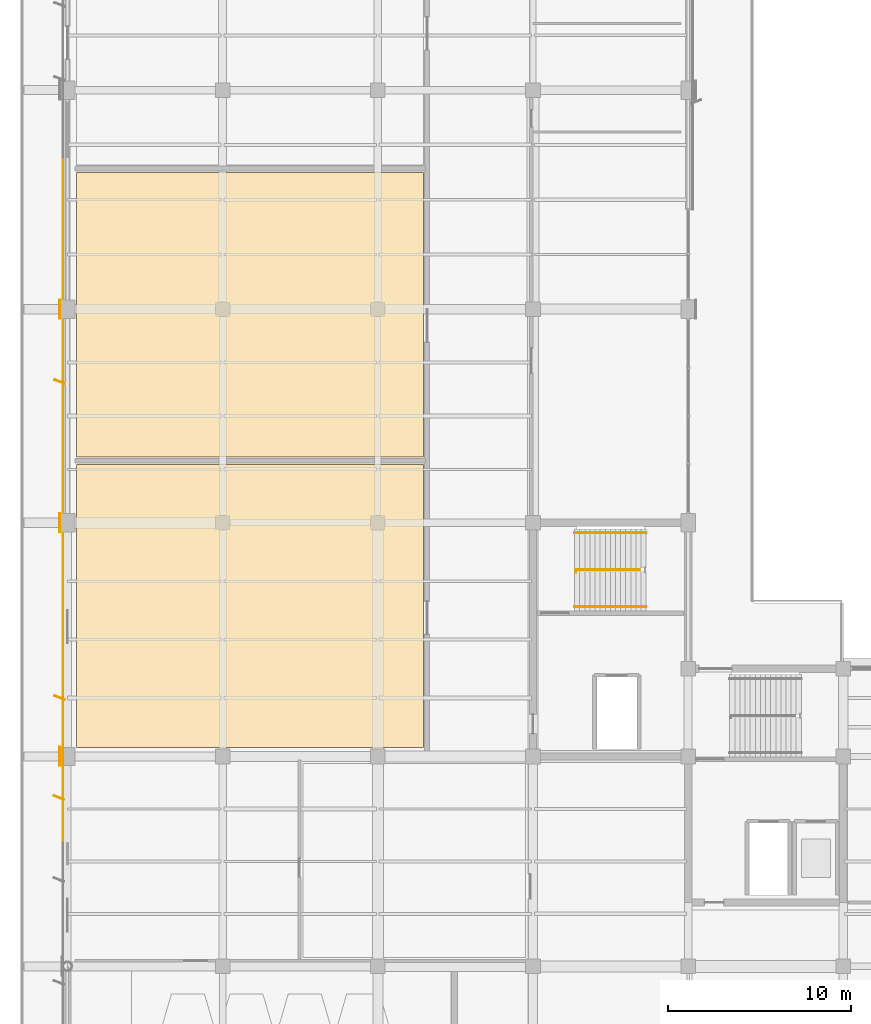
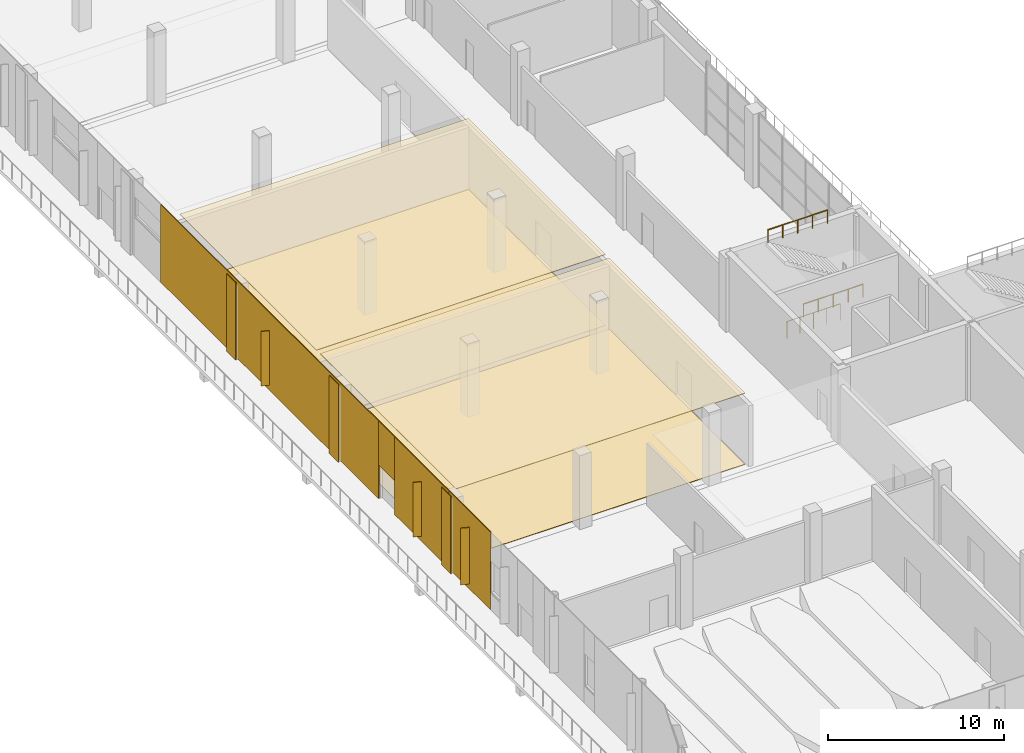
# One storey, part 78 of 90: 14 coverings, 3 railings.
"""IFC4 building model written with IfcOpenShell, lengths in metres."""

from ifc_helpers import new_model, si_unit, direction, frame, origin, origin_2d, place, context, subcontext, project, spatial, polyline, rectangle, circle, outline, extrude, material, layer, layer_set, type_object, element, save


model = new_model("IFC4")

# Units and contexts
model_context = context("Model", 3, precision=1e-05, world=origin(), true_north=direction((0.0, 1.0)))
body_context = subcontext(model_context, "Body", "Model", "MODEL_VIEW")
ifc_project = project(units=[si_unit("LENGTHUNIT", "METRE"), si_unit("AREAUNIT", "SQUARE_METRE"), si_unit("VOLUMEUNIT", "CUBIC_METRE"), si_unit("PLANEANGLEUNIT", "RADIAN"), si_unit("MASSUNIT", "GRAM", prefix="KILO")], contexts=[model_context])

# Site, building, storey
site_placement = place(None, origin())
site = spatial("IfcSite", under=ifc_project, at=site_placement, CompositionType="ELEMENT")
building_placement = place(site_placement, origin())
building = spatial("IfcBuilding", under=site, at=building_placement, Name="Solvikara Media Centre", CompositionType="ELEMENT")
storey_placement = place(building_placement, origin())
storey = spatial("IfcBuildingStorey", under=building, at=storey_placement, Name="L00", CompositionType="ELEMENT", Elevation=0.0)

# Coverings
ifc_material_1 = material(Name="Perforated acoustic gypsum ceiling board")
ifc_layer_1 = layer(ifc_material_1, 0.0400390625)
ifc_layer_set_1 = layer_set([ifc_layer_1], Name="Perforated acoustic gypsum ceiling board")
covering_type_1 = type_object("IfcCoveringType", Name="CV-01", PredefinedType="CEILING", material=ifc_layer_set_1)
covering_1_placement = place(storey_placement, frame((0.0, 0.0, 4.929931640625)))
element("IfcCovering", 1, at=covering_1_placement, inside=storey, type_object=covering_type_1, Name="CLG-004", PredefinedType="CEILING", context=body_context, shape_type="SweptSolid", body=[
    extrude(outline(polyline([(0.5, 32.5), (19.5, 32.5), (19.5, 48.0), (0.5, 48.0), (0.5, 32.5)])), origin(), (0.0, 0.0, 1.0), 0.0400390625),
])
covering_2_placement = place(storey_placement, frame((0.0, 0.0, 4.929931640625)))
element("IfcCovering", 2, at=covering_2_placement, inside=storey, type_object=covering_type_1, Name="CLG-005", PredefinedType="CEILING", context=body_context, shape_type="SweptSolid", body=[
    extrude(outline(polyline([(0.5, 48.39990234375), (19.5, 48.39990234375), (19.5, 64.0), (0.5, 64.0), (0.5, 48.39990234375)])), origin(), (0.0, 0.0, 1.0), 0.0400390625),
])
ifc_material_2 = material(Name="Polished terrazzo floor finish")
ifc_layer_2 = layer(ifc_material_2, 0.030029296875)
ifc_layer_set_2 = layer_set([ifc_layer_2], Name="Polished terrazzo floor finish")
covering_type_2 = type_object("IfcCoveringType", Name="CV-02", PredefinedType="FLOORING", material=ifc_layer_set_2)
covering_3_placement = place(storey_placement, origin())
element("IfcCovering", 3, at=covering_3_placement, inside=storey, type_object=covering_type_2, Name="FLR-004", PredefinedType="FLOORING", context=body_context, shape_type="SweptSolid", body=[
    extrude(outline(polyline([(0.5, 32.5), (19.5, 32.5), (19.5, 48.0), (0.5, 48.0), (0.5, 32.5)])), origin(), (0.0, 0.0, 1.0), 0.030029296875),
])
covering_4_placement = place(storey_placement, origin())
element("IfcCovering", 4, at=covering_4_placement, inside=storey, type_object=covering_type_2, Name="FLR-005", PredefinedType="FLOORING", context=body_context, shape_type="SweptSolid", body=[
    extrude(outline(polyline([(0.5, 48.39990234375), (19.5, 48.39990234375), (19.5, 64.0), (0.5, 64.0), (0.5, 48.39990234375)])), origin(), (0.0, 0.0, 1.0), 0.030029296875),
])
ifc_material_3 = material(Name="GFRC white mineral architectural rainscreen panel")
ifc_layer_3 = layer(ifc_material_3, 0.050048828125)
ifc_layer_set_3 = layer_set([ifc_layer_3], Name="GFRC white mineral architectural rainscreen panel")
covering_type_3 = type_object("IfcCoveringType", Name="CV-04", PredefinedType="CLADDING", material=ifc_layer_set_3)
for number, where, z_axis, x_axis, name in (
    (5, (-0.425048828125, 32.0, 0.0), (0.0, 0.0, 1.0), (0.0, -1.0, 0.0), "PIL-L00-013"),
    (6, (-0.425048828125, 44.800048828125, 0.0), (0.0, 0.0, 1.0), (0.0, -1.0, 0.0), "PIL-L00-017"),
    (7, (-0.425048828125, 56.5, 0.0), (0.0, 0.0, 1.0), (0.0, -1.0, 0.0), "PIL-L00-021"),
):
    element("IfcCovering", number, at=place(storey_placement, frame(where, z_axis=z_axis, x_axis=x_axis)), inside=storey, type_object=covering_type_3, Name=name, PredefinedType="CLADDING", context=body_context, shape_type="SweptSolid", body=[
        extrude(rectangle(XDim=1.0400390625, YDim=0.050048828125, at=origin_2d()), origin(), (0.0, 0.0, 1.0), 5.39990234375),
    ])
covering_5_placement = place(storey_placement, frame((-0.2451171875, 29.633056640625, 0.0), z_axis=(0.0, 0.0, 1.0), x_axis=(0.0, 1.0, 0.0)))
element("IfcCovering", 8, at=covering_5_placement, inside=storey, type_object=covering_type_3, Name="L00-V1W-CV-F09", PredefinedType="CLADDING", context=body_context, shape_type="SweptSolid", body=[
    extrude(rectangle(XDim=4.73291015625, YDim=0.050048828125, at=origin_2d()), origin(), (0.0, 0.0, 1.0), 5.39990234375),
])
covering_6_placement = place(storey_placement, frame((-0.469970703125, 29.742919921875, 0.35009765625), z_axis=(0.0, 0.0, 1.0), x_axis=(-0.930749810713, 0.3656566557, 0.0)))
element("IfcCovering", 9, at=covering_6_placement, inside=storey, type_object=covering_type_3, Name="L00-V1W-FIN-09", PredefinedType="CLADDING", context=body_context, shape_type="SweptSolid", body=[
    extrude(rectangle(XDim=0.60205078125, YDim=0.050048828125, at=origin_2d()), origin(), (0.0, 0.0, 1.0), 3.929931640625),
])
covering_7_placement = place(storey_placement, frame((-0.2451171875, 35.10009765625, 0.0), z_axis=(0.0, 0.0, 1.0), x_axis=(0.0, 1.0, 0.0)))
element("IfcCovering", 10, at=covering_7_placement, inside=storey, type_object=covering_type_3, Name="L00-V4W-CV-F01", PredefinedType="CLADDING", context=body_context, shape_type="SweptSolid", body=[
    extrude(rectangle(XDim=6.199951171875, YDim=0.050048828125, at=origin_2d()), origin(), (0.0, 0.0, 1.0), 5.39990234375),
])
covering_8_placement = place(storey_placement, frame((-0.425048828125, 35.2099609375, 0.35009765625), z_axis=(0.0, 0.0, 1.0), x_axis=(-0.930749810713, 0.3656566557, 0.0)))
element("IfcCovering", 11, at=covering_8_placement, inside=storey, type_object=covering_type_3, Name="L00-V4W-FIN-01", PredefinedType="CLADDING", context=body_context, shape_type="SweptSolid", body=[
    extrude(rectangle(XDim=0.60205078125, YDim=0.050048828125, at=origin_2d()), origin(), (0.0, 0.0, 1.0), 3.780029296875),
])
covering_9_placement = place(storey_placement, frame((-0.2451171875, 39.10009765625, 2.35009765625), z_axis=(0.0, 0.0, 1.0), x_axis=(0.0, 1.0, 0.0)))
element("IfcCovering", 12, at=covering_9_placement, inside=storey, type_object=covering_type_3, Name="L00-V4W-CV-D02", PredefinedType="CLADDING", context=body_context, shape_type="SweptSolid", body=[
    extrude(rectangle(XDim=1.800048828125, YDim=0.050048828125, at=origin_2d()), origin(), (0.0, 0.0, 1.0), 3.050048828125),
])
covering_10_placement = place(storey_placement, frame((-0.2451171875, 52.4150390625, 0.0), z_axis=(0.0, 0.0, 1.0), x_axis=(0.0, 1.0, 0.0)))
element("IfcCovering", 13, at=covering_10_placement, inside=storey, type_object=covering_type_3, Name="L00-V4W-CV-F03", PredefinedType="CLADDING", context=body_context, shape_type="SweptSolid", body=[
    extrude(rectangle(XDim=24.830078125, YDim=0.050048828125, at=origin_2d()), origin(), (0.0, 0.0, 1.0), 5.39990234375),
])
covering_11_placement = place(storey_placement, frame((-0.425048828125, 52.52490234375, 0.35009765625), z_axis=(0.0, 0.0, 1.0), x_axis=(-0.930749810713, 0.3656566557, 0.0)))
element("IfcCovering", 14, at=covering_11_placement, inside=storey, type_object=covering_type_3, Name="L00-V4W-FIN-03", PredefinedType="CLADDING", context=body_context, shape_type="SweptSolid", body=[
    extrude(rectangle(XDim=0.60205078125, YDim=0.050048828125, at=origin_2d()), origin(), (0.0, 0.0, 1.0), 3.780029296875),
])

# Railings
ifc_material_4 = material(Name="Steel S355JR", Category="steel")
railing_type_1 = type_object("IfcRailingType", Name="GR-01", PredefinedType="GUARDRAIL", material=ifc_material_4)
railing_1_placement = place(storey_placement, frame((27.840087890625, 42.080078125, 0.0)))
element("IfcRailing", 15, at=railing_1_placement, inside=storey, type_object=railing_type_1, Name="GR-C1-B01-W", PredefinedType="GUARDRAIL", context=body_context, shape_type="SweptSolid", body=[
    extrude(circle(Radius=0.02392578125, at=origin_2d()), frame((0.0, 0.0, 1.1259765625), z_axis=(0.0, 1.0, 0.0), x_axis=(-1.0, 0.0, 0.0)), (0.0, 0.0, 1.0), 0.139892578125),
    extrude(circle(Radius=0.02392578125, at=origin_2d()), frame((0.0, 0.139892578125, 1.1259765625), z_axis=(1.0, 0.0, 0.0), x_axis=(0.0, 1.0, 0.0)), (0.0, 0.0, 1.0), 3.52001953125),
    extrude(circle(Radius=0.02099609375, at=origin_2d()), origin(), (0.0, 0.0, 1.0), 1.101806640625),
    extrude(circle(Radius=0.02099609375, at=origin_2d()), frame((0.0, 0.139892578125, 0.0)), (0.0, 0.0, 1.0), 1.101806640625),
    extrude(circle(Radius=0.02099609375, at=origin_2d()), frame((0.8798828125, 0.139892578125, 0.0)), (0.0, 0.0, 1.0), 1.101806640625),
    extrude(circle(Radius=0.02099609375, at=origin_2d()), frame((1.760009765625, 0.139892578125, 0.0)), (0.0, 0.0, 1.0), 1.101806640625),
    extrude(circle(Radius=0.02099609375, at=origin_2d()), frame((2.64013671875, 0.139892578125, 0.0)), (0.0, 0.0, 1.0), 1.101806640625),
    extrude(circle(Radius=0.02099609375, at=origin_2d()), frame((3.52001953125, 0.139892578125, 0.0)), (0.0, 0.0, 1.0), 1.101806640625),
])
railing_type_2 = type_object("IfcRailingType", Name="HR-01", PredefinedType="HANDRAIL", material=ifc_material_4)
railing_2_placement = place(storey_placement, frame((27.780029296875, 40.199951171875, 2.699951171875)))
element("IfcRailing", 16, at=railing_2_placement, inside=storey, type_object=railing_type_2, Name="HR-C1-L00-1", PredefinedType="HANDRAIL", context=body_context, shape_type="SweptSolid", body=[
    extrude(circle(Radius=0.02392578125, at=origin_2d()), frame((0.0, 0.0, 0.89599609375), z_axis=(1.0, 0.0, 0.0), x_axis=(0.0, 1.0, 0.0)), (0.0, 0.0, 1.0), 3.919921875),
    extrude(circle(Radius=0.02099609375, at=origin_2d()), origin(), (0.0, 0.0, 1.0), 0.871826171875),
    extrude(circle(Radius=0.02099609375, at=origin_2d()), frame((0.97998046875, 0.0, 0.0)), (0.0, 0.0, 1.0), 0.871826171875),
    extrude(circle(Radius=0.02099609375, at=origin_2d()), frame((1.9599609375, 0.0, 0.0)), (0.0, 0.0, 1.0), 0.871826171875),
    extrude(circle(Radius=0.02099609375, at=origin_2d()), frame((2.93994140625, 0.0, 0.0)), (0.0, 0.0, 1.0), 0.871826171875),
    extrude(circle(Radius=0.02099609375, at=origin_2d()), frame((3.919921875, 0.0, 0.0)), (0.0, 0.0, 1.0), 0.871826171875),
])
railing_3_placement = place(storey_placement, frame((31.699951171875, 44.25, 5.39990234375)))
element("IfcRailing", 17, at=railing_3_placement, inside=storey, type_object=railing_type_2, Name="HR-C1-L00-2", PredefinedType="HANDRAIL", context=body_context, shape_type="SweptSolid", body=[
    extrude(circle(Radius=0.02392578125, at=origin_2d()), frame((0.0, 0.0, 0.89599609375), z_axis=(-1.0, 0.0, 0.0), x_axis=(0.0, -1.0, 0.0)), (0.0, 0.0, 1.0), 3.919921875),
    extrude(circle(Radius=0.02099609375, at=origin_2d()), origin(), (0.0, 0.0, 1.0), 0.871826171875),
    extrude(circle(Radius=0.02099609375, at=origin_2d()), frame((-0.97998046875, 0.0, 0.0)), (0.0, 0.0, 1.0), 0.871826171875),
    extrude(circle(Radius=0.02099609375, at=origin_2d()), frame((-1.9599609375, 0.0, 0.0)), (0.0, 0.0, 1.0), 0.871826171875),
    extrude(circle(Radius=0.02099609375, at=origin_2d()), frame((-2.93994140625, 0.0, 0.0)), (0.0, 0.0, 1.0), 0.871826171875),
    extrude(circle(Radius=0.02099609375, at=origin_2d()), frame((-3.919921875, 0.0, 0.0)), (0.0, 0.0, 1.0), 0.871826171875),
])

save(model, "model.ifc")
